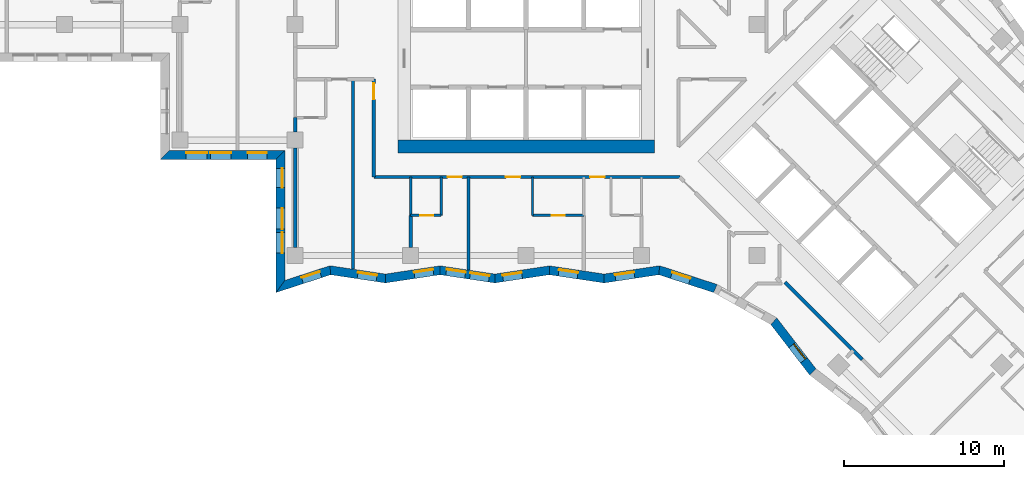
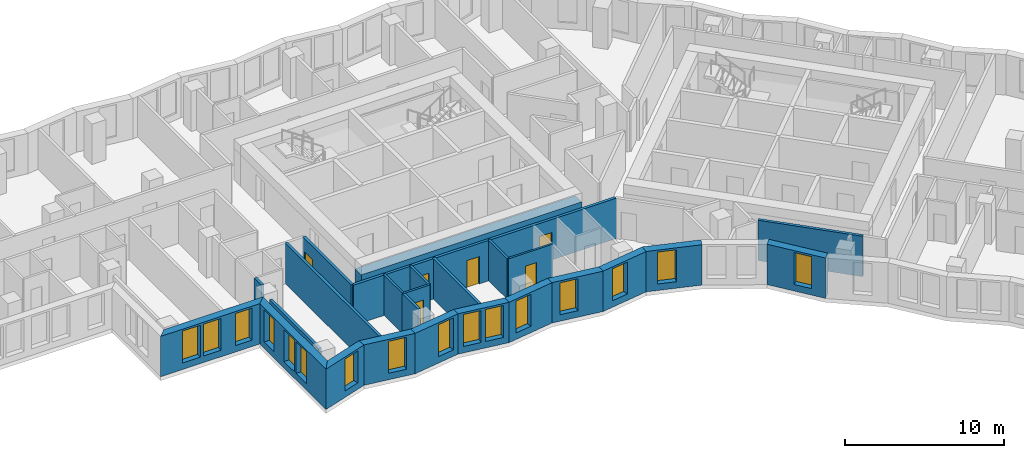
# One storey, part 2 of 13: 25 walls, 16 windows, 6 doors, 22 openings.
"""IFC4 building model written with IfcOpenShell, lengths in metres."""

import ifcopenshell
import ifcopenshell.guid

model = None  # the IFC model being written
_history = None  # IfcOwnerHistory: only IFC2X3 demands one
_inside = {}  # id of a spatial element -> (the spatial element, [elements in it])
_under = {}  # id of a project, library or spatial element -> (it, [spatial elements below it])
_declared = {}  # id of a project -> (the project, [libraries it declares])
_typed = {}  # id of a type object -> (the type object, [elements of that type])
_made_of = {}  # id of a material, layer set ... -> (it, [elements and type objects made of it])


def new_model(schema):
    """Start an empty IFC model of exactly this schema.

    Asked for "IFC4X3", IfcOpenShell would pick the latest addendum, in which some entities
    have other attributes; the version numbers below select the first issue.
    IFC2X3 requires an IfcOwnerHistory on every rooted entity: one is made here for all.
    """
    global model, _history
    if schema == "IFC4X3":
        model = ifcopenshell.file(schema_version=(4, 3, 0, 0))
    else:
        model = ifcopenshell.file(schema=schema)
    _inside.clear()
    _under.clear()
    _declared.clear()
    _typed.clear()
    _made_of.clear()
    _history = None
    if model.schema == "IFC2X3":
        org = make("IfcOrganization", Name="unknown")
        user = make(
            "IfcPersonAndOrganization",
            ThePerson=make("IfcPerson", FamilyName="unknown"),
            TheOrganization=org,
        )
        app = make(
            "IfcApplication",
            ApplicationDeveloper=org,
            Version="unknown",
            ApplicationFullName="unknown",
            ApplicationIdentifier="unknown",
        )
        _history = make(
            "IfcOwnerHistory",
            OwningUser=user,
            OwningApplication=app,
            ChangeAction="ADDED",
            CreationDate=0,
        )
    return model


def make(cls, **values):
    """One entity of the class cls with the attributes given. An attribute that is None is left unset."""
    return model.create_entity(
        cls, **{name: value for name, value in values.items() if value is not None}
    )


def rooted(cls, **values):
    """An entity with a GlobalId (a new one), such as an element, a storey or a relation."""
    return make(cls, GlobalId=ifcopenshell.guid.new(), OwnerHistory=_history, **values)


def si_unit(unit_type, name, prefix=None):
    """IfcSIUnit, for example si_unit("LENGTHUNIT", "METRE", prefix="MILLI")."""
    return make("IfcSIUnit", UnitType=unit_type, Prefix=prefix, Name=name)


def assignment(units):
    """IfcUnitAssignment: the units of a project."""
    return None if units is None else make("IfcUnitAssignment", Units=units)


def point(xyz):
    """IfcCartesianPoint."""
    return None if xyz is None else make("IfcCartesianPoint", Coordinates=xyz)


def direction(xyz):
    """IfcDirection."""
    return None if xyz is None else make("IfcDirection", DirectionRatios=xyz)


def frame(location, z_axis=None, x_axis=None):
    """IfcAxis2Placement3D, a coordinate frame: its origin and axes. An axis left out is left unset."""
    return make(
        "IfcAxis2Placement3D",
        Location=point(location),
        Axis=direction(z_axis),
        RefDirection=direction(x_axis),
    )


def frame_2d(location, x_axis=None):
    """IfcAxis2Placement2D, a coordinate frame in the plane: its origin and x axis."""
    return make(
        "IfcAxis2Placement2D", Location=point(location), RefDirection=direction(x_axis)
    )


def origin():
    """The frame at (0, 0, 0) with its axes left unset."""
    return frame((0.0, 0.0, 0.0))


def place(relative_to, where):
    """IfcLocalPlacement: puts the frame where relative to a parent placement (None: the world)."""
    return make(
        "IfcLocalPlacement", PlacementRelTo=relative_to, RelativePlacement=where
    )


def context(
    kind, dimensions, precision=None, world=None, true_north=None, identifier=None
):
    """IfcGeometricRepresentationContext, for example the 3D "Model" context."""
    return make(
        "IfcGeometricRepresentationContext",
        ContextIdentifier=identifier,
        ContextType=kind,
        CoordinateSpaceDimension=dimensions,
        Precision=precision,
        WorldCoordinateSystem=world,
        TrueNorth=true_north,
    )


def subcontext(parent, identifier, kind, view, scale=None):
    """IfcGeometricRepresentationSubContext, for example "Body" below "Model"."""
    return make(
        "IfcGeometricRepresentationSubContext",
        ContextIdentifier=identifier,
        ContextType=kind,
        ParentContext=parent,
        TargetScale=scale,
        TargetView=view,
    )


def project(units=None, contexts=None):
    """IfcProject with its units and contexts."""
    return rooted(
        "IfcProject",
        Name="project",
        RepresentationContexts=contexts,
        UnitsInContext=assignment(units),
    )


def spatial(cls, under=None, at=None, **own):
    """A site, building, storey or space (cls), placed at a placement, below another one or the project."""
    s = rooted(cls, ObjectPlacement=at, **own)
    if under is not None:
        _under.setdefault(under.id(), (under, []))[1].append(s)
    return s


def polyline(points):
    """IfcPolyline through the points."""
    return make("IfcPolyline", Points=[point(p) for p in points])


def profile(cls, at=None, kind="AREA", **sizes):
    """A parametric profile (cls). Its sizes go by their IFC names, for example OverallWidth=200.0."""
    return make(cls, ProfileType=kind, Position=at, **sizes)


def rectangle(**sizes):
    """IfcRectangleProfileDef."""
    return profile("IfcRectangleProfileDef", **sizes)


def outline(outer, holes=None, kind="AREA"):
    """IfcArbitraryClosedProfileDef: a profile drawn as a closed curve; with holes, ...WithVoids."""
    if holes is None:
        return make("IfcArbitraryClosedProfileDef", ProfileType=kind, OuterCurve=outer)
    return make(
        "IfcArbitraryProfileDefWithVoids",
        ProfileType=kind,
        OuterCurve=outer,
        InnerCurves=holes,
    )


def extrude(swept, where, along, depth):
    """IfcExtrudedAreaSolid: the profile swept, set in the frame where, extruded along a direction by depth."""
    return make(
        "IfcExtrudedAreaSolid",
        SweptArea=swept,
        Position=where,
        ExtrudedDirection=direction(along),
        Depth=depth,
    )


def shape(context_of_items, identifier, shape_type, items):
    """IfcShapeRepresentation: the items that make up one representation, for example the "Body"."""
    return make(
        "IfcShapeRepresentation",
        ContextOfItems=context_of_items,
        RepresentationIdentifier=identifier,
        RepresentationType=shape_type,
        Items=items,
    )


def material(Name=None, Category=None):
    """IfcMaterial."""
    return make("IfcMaterial", Name=Name, Category=Category)


def layer(
    of_material, thickness, ventilated=None, Name=None, Category=None, Priority=None
):
    """IfcMaterialLayer: one layer of a wall or slab, of a material (None: an air gap)."""
    return make(
        "IfcMaterialLayer",
        Material=of_material,
        LayerThickness=thickness,
        IsVentilated=ventilated,
        Name=Name,
        Category=Category,
        Priority=Priority,
    )


def layer_set(layers, Name=None):
    """IfcMaterialLayerSet."""
    return make("IfcMaterialLayerSet", MaterialLayers=layers, LayerSetName=Name)


def made_of(thing, what):
    """Note that an element or type object is made of a material, layer set ...; save() writes the relation."""
    if what is not None:
        _made_of.setdefault(what.id(), (what, []))[1].append(thing)
    return thing


def type_object(cls, material=None, **own):
    """A type object (cls), such as IfcWallType, which elements share."""
    return made_of(rooted(cls, **own), material)


def element(
    cls,
    number,
    at=None,
    inside=None,
    cuts=None,
    type_object=None,
    material=None,
    context=None,
    identifier="Body",
    shape_type=None,
    held_by="IfcProductDefinitionShape",
    body=None,
    shapes=None,
    **own,
):
    """One element of the class cls, such as IfcWall. Its Tag is "e" and its number.

    at: its placement. inside: the storey or other place that contains it. cuts: it is an
    opening in that element (IfcRelVoidsElement). A single representation is given by context,
    identifier, shape_type and body (its items); several are given by shapes. held_by: the class
    of the entity that holds the representations. save() writes the other relations.
    """
    e = rooted(cls, Tag="e%d" % number, ObjectPlacement=at, **own)
    if body is not None:
        shapes = [shape(context, identifier, shape_type, body)]
    if shapes is not None:
        e.Representation = make(held_by, Representations=shapes)
    if inside is not None:
        _inside.setdefault(inside.id(), (inside, []))[1].append(e)
    if cuts is not None:
        rooted(
            "IfcRelVoidsElement", RelatingBuildingElement=cuts, RelatedOpeningElement=e
        )
    if type_object is not None:
        _typed.setdefault(type_object.id(), (type_object, []))[1].append(e)
    return made_of(e, material)


def fill(opening, filler):
    """IfcRelFillsElement: the door or window that sits in an opening."""
    return rooted(
        "IfcRelFillsElement",
        RelatingOpeningElement=opening,
        RelatedBuildingElement=filler,
    )


def aggregate(whole, parts):
    """IfcRelAggregates: a whole, such as a stair, and the parts it consists of."""
    return rooted("IfcRelAggregates", RelatingObject=whole, RelatedObjects=parts)


def save(model, path):
    """Write the relations noted so far, then the file.

    IfcRelAggregates (storeys below a building ...), IfcRelContainedInSpatialStructure (elements
    in a storey), IfcRelDefinesByType, IfcRelAssociatesMaterial and IfcRelDeclares: one each for
    every whole, place, type object, material and project.
    """
    for whole, parts in _under.values():
        aggregate(whole, parts)
    for where, things in _inside.values():
        rooted(
            "IfcRelContainedInSpatialStructure",
            RelatedElements=things,
            RelatingStructure=where,
        )
    for kind, things in _typed.values():
        rooted("IfcRelDefinesByType", RelatedObjects=things, RelatingType=kind)
    for what, things in _made_of.values():
        rooted("IfcRelAssociatesMaterial", RelatedObjects=things, RelatingMaterial=what)
    for by, libraries in _declared.values():
        rooted("IfcRelDeclares", RelatingContext=by, RelatedDefinitions=libraries)
    model.write(path)


model = new_model("IFC4")

# Units and contexts
model_context = context("Model", 3, precision=1e-05, world=origin(), true_north=direction((0.0, 1.0)))
body_context = subcontext(model_context, "Body", "Model", "MODEL_VIEW")
ifc_project = project(units=[si_unit("LENGTHUNIT", "METRE"), si_unit("AREAUNIT", "SQUARE_METRE"), si_unit("VOLUMEUNIT", "CUBIC_METRE"), si_unit("PLANEANGLEUNIT", "RADIAN"), si_unit("MASSUNIT", "GRAM", prefix="KILO")], contexts=[model_context])

# Site, building, storey
site_placement = place(None, origin())
site = spatial("IfcSite", under=ifc_project, at=site_placement, CompositionType="ELEMENT")
building_placement = place(site_placement, origin())
building = spatial("IfcBuilding", under=site, at=building_placement, Name="Windrow Commons", CompositionType="ELEMENT")
storey_placement = place(building_placement, frame((0.0, 0.0, 105.0)))
storey = spatial("IfcBuildingStorey", under=building, at=storey_placement, Name="L28", CompositionType="ELEMENT", Elevation=105.0)

# Wall, openings, windows
ifc_material_1 = material(Name="Brick masonry, red clay brick", Category="masonry")
ifc_layer_1 = layer(ifc_material_1, 0.55)
ifc_layer_set_1 = layer_set([ifc_layer_1], Name="Brick facade wall 550")
wall_type_1 = type_object("IfcWallType", Name="Brick facade wall 550", PredefinedType="SOLIDWALL", material=ifc_layer_set_1)
wall_1_placement = place(storey_placement, frame((42.275, 49.475, 0.0), z_axis=(0.0, 0.0, 1.0), x_axis=(1.0, 0.0, 0.0)))
wall_1 = element("IfcWall", 1, at=wall_1_placement, inside=storey, type_object=wall_type_1, Name="Brick facade wall L28 42", PredefinedType="SOLIDWALL", context=body_context, shape_type="SweptSolid", body=[
    extrude(outline(polyline([(-0.275, -0.275), (6.925, -0.275), (7.475, 0.275), (0.275, 0.275), (-0.275, -0.275)])), origin(), (0.0, 0.0, 1.0), 3.1),
])
opening_1_placement = place(wall_1_placement, frame((1.325, 0.0, 0.5)))
opening_1 = element("IfcOpeningElement", 2, at=opening_1_placement, cuts=wall_1, Name="Opening W1P", PredefinedType="OPENING", context=body_context, shape_type="SweptSolid", body=[
    extrude(rectangle(XDim=1.3, YDim=2.45, at=frame_2d((0.65, 1.225))), frame((0.0, 0.285, 0.0), z_axis=(0.0, -1.0, 0.0), x_axis=(1.0, 0.0, 0.0)), (0.0, 0.0, 1.0), 0.57),
])
opening_2_placement = place(wall_1_placement, frame((2.825, 0.0, 0.5)))
opening_2 = element("IfcOpeningElement", 3, at=opening_2_placement, cuts=wall_1, Name="Opening W1P", PredefinedType="OPENING", context=body_context, shape_type="SweptSolid", body=[
    extrude(rectangle(XDim=1.3, YDim=2.45, at=frame_2d((0.65, 1.225))), frame((0.0, 0.285, 0.0), z_axis=(0.0, -1.0, 0.0), x_axis=(1.0, 0.0, 0.0)), (0.0, 0.0, 1.0), 0.57),
])
opening_3_placement = place(wall_1_placement, frame((5.1625, 0.0, 0.5)))
opening_3 = element("IfcOpeningElement", 4, at=opening_3_placement, cuts=wall_1, Name="Opening W7D", PredefinedType="OPENING", context=body_context, shape_type="SweptSolid", body=[
    extrude(rectangle(XDim=1.2, YDim=2.45, at=frame_2d((0.6, 1.225))), frame((0.0, 0.285, 0.0), z_axis=(0.0, -1.0, 0.0), x_axis=(1.0, 0.0, 0.0)), (0.0, 0.0, 1.0), 0.57),
])
ifc_material_2 = material(Name="Clear float glass in anodised aluminium frame", Category="aluminium")
window_type_1 = type_object("IfcWindowType", Name="Window W1P pair 1300x2450", PartitioningType="SINGLE_PANEL", PredefinedType="WINDOW", material=ifc_material_2)
window_1_placement = place(opening_1_placement, origin())
window_1 = element("IfcWindow", 5, at=window_1_placement, inside=storey, type_object=window_type_1, Name="Window L28 42.1A", OverallHeight=2.45, OverallWidth=1.3, PartitioningType="SINGLE_PANEL", PredefinedType="WINDOW", context=body_context, shape_type="SweptSolid", body=[
    extrude(rectangle(XDim=1.3, YDim=2.45, at=frame_2d((0.65, 1.225))), frame((0.0, 0.155, 0.0), z_axis=(0.0, -1.0, 0.0), x_axis=(1.0, 0.0, 0.0)), (0.0, 0.0, 1.0), 0.06),
])
fill(opening_1, window_1)
window_2_placement = place(opening_2_placement, origin())
window_2 = element("IfcWindow", 6, at=window_2_placement, inside=storey, type_object=window_type_1, Name="Window L28 42.1B", OverallHeight=2.45, OverallWidth=1.3, PartitioningType="SINGLE_PANEL", PredefinedType="WINDOW", context=body_context, shape_type="SweptSolid", body=[
    extrude(rectangle(XDim=1.3, YDim=2.45, at=frame_2d((0.65, 1.225))), frame((0.0, 0.155, 0.0), z_axis=(0.0, -1.0, 0.0), x_axis=(1.0, 0.0, 0.0)), (0.0, 0.0, 1.0), 0.06),
])
fill(opening_2, window_2)
ifc_material_3 = material(Name="Clear float glass in anodised aluminium frame", Category="aluminium")
window_type_2 = type_object("IfcWindowType", Name="Window W7 notch 1200x2450", PartitioningType="SINGLE_PANEL", PredefinedType="WINDOW", material=ifc_material_3)
window_3_placement = place(opening_3_placement, origin())
window_3 = element("IfcWindow", 7, at=window_3_placement, inside=storey, type_object=window_type_2, Name="Window L28 42.2", OverallHeight=2.45, OverallWidth=1.2, PartitioningType="SINGLE_PANEL", PredefinedType="WINDOW", context=body_context, shape_type="SweptSolid", body=[
    extrude(rectangle(XDim=1.2, YDim=2.45, at=frame_2d((0.6, 1.225))), frame((0.0, 0.155, 0.0), z_axis=(0.0, -1.0, 0.0), x_axis=(1.0, 0.0, 0.0)), (0.0, 0.0, 1.0), 0.06),
])
fill(opening_3, window_3)

wall_2_placement = place(storey_placement, frame((49.475, 49.475, 0.0), z_axis=(0.0, 0.0, 1.0), x_axis=(0.0, -1.0, 0.0)))
wall_2 = element("IfcWall", 8, at=wall_2_placement, inside=storey, type_object=wall_type_1, Name="Brick facade wall L28 43", PredefinedType="SOLIDWALL", context=body_context, shape_type="SweptSolid", body=[
    extrude(outline(polyline([(0.275, -0.275), (8.587, -0.275), (7.8293, 0.275), (-0.275, 0.275), (0.275, -0.275)])), origin(), (0.0, 0.0, 1.0), 3.1),
])
opening_4_placement = place(wall_2_placement, frame((3.325, 0.0, 0.5)))
opening_4 = element("IfcOpeningElement", 9, at=opening_4_placement, cuts=wall_2, Name="Opening W1P", PredefinedType="OPENING", context=body_context, shape_type="SweptSolid", body=[
    extrude(rectangle(XDim=1.3, YDim=2.45, at=frame_2d((0.65, 1.225))), frame((0.0, 0.285, 0.0), z_axis=(0.0, -1.0, 0.0), x_axis=(1.0, 0.0, 0.0)), (0.0, 0.0, 1.0), 0.57),
])
opening_5_placement = place(wall_2_placement, frame((4.825, 0.0, 0.5)))
opening_5 = element("IfcOpeningElement", 10, at=opening_5_placement, cuts=wall_2, Name="Opening W1P", PredefinedType="OPENING", context=body_context, shape_type="SweptSolid", body=[
    extrude(rectangle(XDim=1.3, YDim=2.45, at=frame_2d((0.65, 1.225))), frame((0.0, 0.285, 0.0), z_axis=(0.0, -1.0, 0.0), x_axis=(1.0, 0.0, 0.0)), (0.0, 0.0, 1.0), 0.57),
])
opening_6_placement = place(wall_2_placement, frame((0.8375, 0.0, 0.5)))
opening_6 = element("IfcOpeningElement", 11, at=opening_6_placement, cuts=wall_2, Name="Opening W7D", PredefinedType="OPENING", context=body_context, shape_type="SweptSolid", body=[
    extrude(rectangle(XDim=1.2, YDim=2.45, at=frame_2d((0.6, 1.225))), frame((0.0, 0.285, 0.0), z_axis=(0.0, -1.0, 0.0), x_axis=(1.0, 0.0, 0.0)), (0.0, 0.0, 1.0), 0.57),
])
window_4_placement = place(opening_4_placement, origin())
window_4 = element("IfcWindow", 12, at=window_4_placement, inside=storey, type_object=window_type_1, Name="Window L28 43.1A", OverallHeight=2.45, OverallWidth=1.3, PartitioningType="SINGLE_PANEL", PredefinedType="WINDOW", context=body_context, shape_type="SweptSolid", body=[
    extrude(rectangle(XDim=1.3, YDim=2.45, at=frame_2d((0.65, 1.225))), frame((0.0, 0.155, 0.0), z_axis=(0.0, -1.0, 0.0), x_axis=(1.0, 0.0, 0.0)), (0.0, 0.0, 1.0), 0.06),
])
fill(opening_4, window_4)
window_5_placement = place(opening_5_placement, origin())
window_5 = element("IfcWindow", 13, at=window_5_placement, inside=storey, type_object=window_type_1, Name="Window L28 43.1B", OverallHeight=2.45, OverallWidth=1.3, PartitioningType="SINGLE_PANEL", PredefinedType="WINDOW", context=body_context, shape_type="SweptSolid", body=[
    extrude(rectangle(XDim=1.3, YDim=2.45, at=frame_2d((0.65, 1.225))), frame((0.0, 0.155, 0.0), z_axis=(0.0, -1.0, 0.0), x_axis=(1.0, 0.0, 0.0)), (0.0, 0.0, 1.0), 0.06),
])
fill(opening_5, window_5)
window_6_placement = place(opening_6_placement, origin())
window_6 = element("IfcWindow", 14, at=window_6_placement, inside=storey, type_object=window_type_2, Name="Window L28 43.2", OverallHeight=2.45, OverallWidth=1.2, PartitioningType="SINGLE_PANEL", PredefinedType="WINDOW", context=body_context, shape_type="SweptSolid", body=[
    extrude(rectangle(XDim=1.2, YDim=2.45, at=frame_2d((0.6, 1.225))), frame((0.0, 0.155, 0.0), z_axis=(0.0, -1.0, 0.0), x_axis=(1.0, 0.0, 0.0)), (0.0, 0.0, 1.0), 0.06),
])
fill(opening_6, window_6)

# Wall, opening, window
wall_3_placement = place(storey_placement, frame((49.475, 41.2669, 0.0), z_axis=(0.0, 0.0, 1.0), x_axis=(0.9507812873, 0.3098627821, 0.0)))
wall_3 = element("IfcWall", 15, at=wall_3_placement, inside=storey, type_object=wall_type_1, Name="Brick facade wall L28 44", PredefinedType="SOLIDWALL", context=body_context, shape_type="SweptSolid", body=[
    extrude(outline(polyline([(-0.3789, -0.275), (3.2097, -0.275), (3.3396, 0.275), (0.3789, 0.275), (-0.3789, -0.275)])), origin(), (0.0, 0.0, 1.0), 3.1),
])
opening_7_placement = place(wall_3_placement, frame((1.4238, 0.0, 0.5)))
opening_7 = element("IfcOpeningElement", 16, at=opening_7_placement, cuts=wall_3, Name="Opening W7D", PredefinedType="OPENING", context=body_context, shape_type="SweptSolid", body=[
    extrude(rectangle(XDim=1.2, YDim=2.45, at=frame_2d((0.6, 1.225))), frame((0.0, 0.285, 0.0), z_axis=(0.0, -1.0, 0.0), x_axis=(1.0, 0.0, 0.0)), (0.0, 0.0, 1.0), 0.57),
])
window_7_placement = place(opening_7_placement, origin())
window_7 = element("IfcWindow", 17, at=window_7_placement, inside=storey, type_object=window_type_2, Name="Window L28 44.1", OverallHeight=2.45, OverallWidth=1.2, PartitioningType="SINGLE_PANEL", PredefinedType="WINDOW", context=body_context, shape_type="SweptSolid", body=[
    extrude(rectangle(XDim=1.2, YDim=2.45, at=frame_2d((0.6, 1.225))), frame((0.0, 0.155, 0.0), z_axis=(0.0, -1.0, 0.0), x_axis=(1.0, 0.0, 0.0)), (0.0, 0.0, 1.0), 0.06),
])
fill(opening_7, window_7)

wall_4_placement = place(storey_placement, frame((52.5885, 42.2816, 0.0), z_axis=(0.0, 0.0, 1.0), x_axis=(0.9889276939, -0.1483981679, 0.0)))
wall_4 = element("IfcWall", 18, at=wall_4_placement, inside=storey, type_object=wall_type_1, Name="Brick facade wall L28 45", PredefinedType="SOLIDWALL", context=body_context, shape_type="SweptSolid", body=[
    extrude(outline(polyline([(0.065, -0.275), (3.5151, -0.275), (3.4326, 0.275), (-0.065, 0.275), (0.065, -0.275)])), origin(), (0.0, 0.0, 1.0), 3.1),
])
opening_8_placement = place(wall_4_placement, frame((1.7299, 0.0, 0.5)))
opening_8 = element("IfcOpeningElement", 19, at=opening_8_placement, cuts=wall_4, Name="Opening W7D", PredefinedType="OPENING", context=body_context, shape_type="SweptSolid", body=[
    extrude(rectangle(XDim=1.2, YDim=2.45, at=frame_2d((0.6, 1.225))), frame((0.0, 0.285, 0.0), z_axis=(0.0, -1.0, 0.0), x_axis=(1.0, 0.0, 0.0)), (0.0, 0.0, 1.0), 0.57),
])
window_8_placement = place(opening_8_placement, origin())
window_8 = element("IfcWindow", 20, at=window_8_placement, inside=storey, type_object=window_type_2, Name="Window L28 45.1", OverallHeight=2.45, OverallWidth=1.2, PartitioningType="SINGLE_PANEL", PredefinedType="WINDOW", context=body_context, shape_type="SweptSolid", body=[
    extrude(rectangle(XDim=1.2, YDim=2.45, at=frame_2d((0.6, 1.225))), frame((0.0, 0.155, 0.0), z_axis=(0.0, -1.0, 0.0), x_axis=(1.0, 0.0, 0.0)), (0.0, 0.0, 1.0), 0.06),
])
fill(opening_8, window_8)

wall_5_placement = place(storey_placement, frame((56.0238, 41.7661, 0.0), z_axis=(0.0, 0.0, 1.0), x_axis=(0.9889272091, 0.1484013984, 0.0)))
wall_5 = element("IfcWall", 21, at=wall_5_placement, inside=storey, type_object=wall_type_1, Name="Brick facade wall L28 46", PredefinedType="SOLIDWALL", context=body_context, shape_type="SweptSolid", body=[
    extrude(outline(polyline([(-0.0413, -0.275), (3.4088, -0.275), (3.4914, 0.275), (0.0413, 0.275), (-0.0413, -0.275)])), origin(), (0.0, 0.0, 1.0), 3.1),
])
opening_9_placement = place(wall_5_placement, frame((1.822, 0.0, 0.5)))
opening_9 = element("IfcOpeningElement", 22, at=opening_9_placement, cuts=wall_5, Name="Opening W7D", PredefinedType="OPENING", context=body_context, shape_type="SweptSolid", body=[
    extrude(rectangle(XDim=1.2, YDim=2.45, at=frame_2d((0.6, 1.225))), frame((0.0, 0.285, 0.0), z_axis=(0.0, -1.0, 0.0), x_axis=(1.0, 0.0, 0.0)), (0.0, 0.0, 1.0), 0.57),
])
window_9_placement = place(opening_9_placement, origin())
window_9 = element("IfcWindow", 23, at=window_9_placement, inside=storey, type_object=window_type_2, Name="Window L28 46.1", OverallHeight=2.45, OverallWidth=1.2, PartitioningType="SINGLE_PANEL", PredefinedType="WINDOW", context=body_context, shape_type="SweptSolid", body=[
    extrude(rectangle(XDim=1.2, YDim=2.45, at=frame_2d((0.6, 1.225))), frame((0.0, 0.155, 0.0), z_axis=(0.0, -1.0, 0.0), x_axis=(1.0, 0.0, 0.0)), (0.0, 0.0, 1.0), 0.06),
])
fill(opening_9, window_9)

# Wall, openings, windows
wall_6_placement = place(storey_placement, frame((59.4357, 42.2781, 0.0), z_axis=(0.0, 0.0, 1.0), x_axis=(0.9889272091, -0.1484013984, 0.0)))
wall_6 = element("IfcWall", 24, at=wall_6_placement, inside=storey, type_object=wall_type_1, Name="Brick facade wall L28 47", PredefinedType="SOLIDWALL", context=body_context, shape_type="SweptSolid", body=[
    extrude(outline(polyline([(0.0413, -0.275), (3.4914, -0.275), (3.4088, 0.275), (-0.0413, 0.275), (0.0413, -0.275)])), origin(), (0.0, 0.0, 1.0), 3.1),
])
opening_10_placement = place(wall_6_placement, frame((0.392, 0.0, 0.5)))
opening_10 = element("IfcOpeningElement", 25, at=opening_10_placement, cuts=wall_6, Name="Opening W7D", PredefinedType="OPENING", context=body_context, shape_type="SweptSolid", body=[
    extrude(rectangle(XDim=1.2, YDim=2.45, at=frame_2d((0.6, 1.225))), frame((0.0, 0.285, 0.0), z_axis=(0.0, -1.0, 0.0), x_axis=(1.0, 0.0, 0.0)), (0.0, 0.0, 1.0), 0.57),
])
opening_11_placement = place(wall_6_placement, frame((1.8964, 0.0, 0.5)))
opening_11 = element("IfcOpeningElement", 26, at=opening_11_placement, cuts=wall_6, Name="Opening W7D", PredefinedType="OPENING", context=body_context, shape_type="SweptSolid", body=[
    extrude(rectangle(XDim=1.2, YDim=2.45, at=frame_2d((0.6, 1.225))), frame((0.0, 0.285, 0.0), z_axis=(0.0, -1.0, 0.0), x_axis=(1.0, 0.0, 0.0)), (0.0, 0.0, 1.0), 0.57),
])
window_10_placement = place(opening_10_placement, origin())
window_10 = element("IfcWindow", 27, at=window_10_placement, inside=storey, type_object=window_type_2, Name="Window L28 47.1", OverallHeight=2.45, OverallWidth=1.2, PartitioningType="SINGLE_PANEL", PredefinedType="WINDOW", context=body_context, shape_type="SweptSolid", body=[
    extrude(rectangle(XDim=1.2, YDim=2.45, at=frame_2d((0.6, 1.225))), frame((0.0, 0.155, 0.0), z_axis=(0.0, -1.0, 0.0), x_axis=(1.0, 0.0, 0.0)), (0.0, 0.0, 1.0), 0.06),
])
fill(opening_10, window_10)
window_11_placement = place(opening_11_placement, origin())
window_11 = element("IfcWindow", 28, at=window_11_placement, inside=storey, type_object=window_type_2, Name="Window L28 47.2", OverallHeight=2.45, OverallWidth=1.2, PartitioningType="SINGLE_PANEL", PredefinedType="WINDOW", context=body_context, shape_type="SweptSolid", body=[
    extrude(rectangle(XDim=1.2, YDim=2.45, at=frame_2d((0.6, 1.225))), frame((0.0, 0.155, 0.0), z_axis=(0.0, -1.0, 0.0), x_axis=(1.0, 0.0, 0.0)), (0.0, 0.0, 1.0), 0.06),
])
fill(opening_11, window_11)

# Wall, opening, window
wall_7_placement = place(storey_placement, frame((62.8476, 41.7661, 0.0), z_axis=(0.0, 0.0, 1.0), x_axis=(0.9889278474, 0.1483971447, 0.0)))
wall_7 = element("IfcWall", 29, at=wall_7_placement, inside=storey, type_object=wall_type_1, Name="Brick facade wall L28 48", PredefinedType="SOLIDWALL", context=body_context, shape_type="SweptSolid", body=[
    extrude(outline(polyline([(-0.0413, -0.275), (3.4088, -0.275), (3.4914, 0.275), (0.0413, 0.275), (-0.0413, -0.275)])), origin(), (0.0, 0.0, 1.0), 3.1),
])
opening_12_placement = place(wall_7_placement, frame((0.5077, 0.0, 0.5)))
opening_12 = element("IfcOpeningElement", 30, at=opening_12_placement, cuts=wall_7, Name="Opening W7D", PredefinedType="OPENING", context=body_context, shape_type="SweptSolid", body=[
    extrude(rectangle(XDim=1.2, YDim=2.45, at=frame_2d((0.6, 1.225))), frame((0.0, 0.285, 0.0), z_axis=(0.0, -1.0, 0.0), x_axis=(1.0, 0.0, 0.0)), (0.0, 0.0, 1.0), 0.57),
])
window_12_placement = place(opening_12_placement, origin())
window_12 = element("IfcWindow", 31, at=window_12_placement, inside=storey, type_object=window_type_2, Name="Window L28 48.1", OverallHeight=2.45, OverallWidth=1.2, PartitioningType="SINGLE_PANEL", PredefinedType="WINDOW", context=body_context, shape_type="SweptSolid", body=[
    extrude(rectangle(XDim=1.2, YDim=2.45, at=frame_2d((0.6, 1.225))), frame((0.0, 0.155, 0.0), z_axis=(0.0, -1.0, 0.0), x_axis=(1.0, 0.0, 0.0)), (0.0, 0.0, 1.0), 0.06),
])
fill(opening_12, window_12)

wall_8_placement = place(storey_placement, frame((66.2596, 42.2781, 0.0), z_axis=(0.0, 0.0, 1.0), x_axis=(0.9889272091, -0.1484013984, 0.0)))
wall_8 = element("IfcWall", 32, at=wall_8_placement, inside=storey, type_object=wall_type_1, Name="Brick facade wall L28 49", PredefinedType="SOLIDWALL", context=body_context, shape_type="SweptSolid", body=[
    extrude(outline(polyline([(0.0413, -0.275), (3.4914, -0.275), (3.4088, 0.275), (-0.0413, 0.275), (0.0413, -0.275)])), origin(), (0.0, 0.0, 1.0), 3.1),
])
opening_13_placement = place(wall_8_placement, frame((0.5822, 0.0, 0.5)))
opening_13 = element("IfcOpeningElement", 33, at=opening_13_placement, cuts=wall_8, Name="Opening W7D", PredefinedType="OPENING", context=body_context, shape_type="SweptSolid", body=[
    extrude(rectangle(XDim=1.2, YDim=2.45, at=frame_2d((0.6, 1.225))), frame((0.0, 0.285, 0.0), z_axis=(0.0, -1.0, 0.0), x_axis=(1.0, 0.0, 0.0)), (0.0, 0.0, 1.0), 0.57),
])
window_13_placement = place(opening_13_placement, origin())
window_13 = element("IfcWindow", 34, at=window_13_placement, inside=storey, type_object=window_type_2, Name="Window L28 49.1", OverallHeight=2.45, OverallWidth=1.2, PartitioningType="SINGLE_PANEL", PredefinedType="WINDOW", context=body_context, shape_type="SweptSolid", body=[
    extrude(rectangle(XDim=1.2, YDim=2.45, at=frame_2d((0.6, 1.225))), frame((0.0, 0.155, 0.0), z_axis=(0.0, -1.0, 0.0), x_axis=(1.0, 0.0, 0.0)), (0.0, 0.0, 1.0), 0.06),
])
fill(opening_13, window_13)

wall_9_placement = place(storey_placement, frame((69.6715, 41.7661, 0.0), z_axis=(0.0, 0.0, 1.0), x_axis=(0.9889276939, 0.1483981679, 0.0)))
wall_9 = element("IfcWall", 35, at=wall_9_placement, inside=storey, type_object=wall_type_1, Name="Brick facade wall L28 50", PredefinedType="SOLIDWALL", context=body_context, shape_type="SweptSolid", body=[
    extrude(outline(polyline([(-0.0413, -0.275), (3.4088, -0.275), (3.5388, 0.275), (0.0413, 0.275), (-0.0413, -0.275)])), origin(), (0.0, 0.0, 1.0), 3.1),
])
opening_14_placement = place(wall_9_placement, frame((0.6979, 0.0, 0.5)))
opening_14 = element("IfcOpeningElement", 36, at=opening_14_placement, cuts=wall_9, Name="Opening W7D", PredefinedType="OPENING", context=body_context, shape_type="SweptSolid", body=[
    extrude(rectangle(XDim=1.2, YDim=2.45, at=frame_2d((0.6, 1.225))), frame((0.0, 0.285, 0.0), z_axis=(0.0, -1.0, 0.0), x_axis=(1.0, 0.0, 0.0)), (0.0, 0.0, 1.0), 0.57),
])
window_14_placement = place(opening_14_placement, origin())
window_14 = element("IfcWindow", 37, at=window_14_placement, inside=storey, type_object=window_type_2, Name="Window L28 50.1", OverallHeight=2.45, OverallWidth=1.2, PartitioningType="SINGLE_PANEL", PredefinedType="WINDOW", context=body_context, shape_type="SweptSolid", body=[
    extrude(rectangle(XDim=1.2, YDim=2.45, at=frame_2d((0.6, 1.225))), frame((0.0, 0.155, 0.0), z_axis=(0.0, -1.0, 0.0), x_axis=(1.0, 0.0, 0.0)), (0.0, 0.0, 1.0), 0.06),
])
fill(opening_14, window_14)

wall_10_placement = place(storey_placement, frame((73.1068, 42.2816, 0.0), z_axis=(0.0, 0.0, 1.0), x_axis=(0.9507759642, -0.309879115, 0.0)))
wall_10 = element("IfcWall", 38, at=wall_10_placement, inside=storey, type_object=wall_type_1, Name="Brick facade wall L28 51", PredefinedType="SOLIDWALL", context=body_context, shape_type="SweptSolid", body=[
    extrude(outline(polyline([(0.065, -0.275), (3.6535, -0.275), (3.7074, 0.275), (-0.065, 0.275), (0.065, -0.275)])), origin(), (0.0, 0.0, 1.0), 3.1),
])
opening_15_placement = place(wall_10_placement, frame((0.8111, 0.0, 0.5)))
opening_15 = element("IfcOpeningElement", 39, at=opening_15_placement, cuts=wall_10, Name="Opening W7D", PredefinedType="OPENING", context=body_context, shape_type="SweptSolid", body=[
    extrude(rectangle(XDim=1.2, YDim=2.45, at=frame_2d((0.6, 1.225))), frame((0.0, 0.285, 0.0), z_axis=(0.0, -1.0, 0.0), x_axis=(1.0, 0.0, 0.0)), (0.0, 0.0, 1.0), 0.57),
])
window_15_placement = place(opening_15_placement, origin())
window_15 = element("IfcWindow", 40, at=window_15_placement, inside=storey, type_object=window_type_2, Name="Window L28 51.1", OverallHeight=2.45, OverallWidth=1.2, PartitioningType="SINGLE_PANEL", PredefinedType="WINDOW", context=body_context, shape_type="SweptSolid", body=[
    extrude(rectangle(XDim=1.2, YDim=2.45, at=frame_2d((0.6, 1.225))), frame((0.0, 0.155, 0.0), z_axis=(0.0, -1.0, 0.0), x_axis=(1.0, 0.0, 0.0)), (0.0, 0.0, 1.0), 0.06),
])
fill(opening_15, window_15)

wall_11_placement = place(storey_placement, frame((80.2505, 39.1014, 0.0), z_axis=(0.0, 0.0, 1.0), x_axis=(0.6100580662, -0.79235671, 0.0)))
wall_11 = element("IfcWall", 41, at=wall_11_placement, inside=storey, type_object=wall_type_1, Name="Brick facade wall L28 53", PredefinedType="SOLIDWALL", context=body_context, shape_type="SweptSolid", body=[
    extrude(outline(polyline([(0.0564, -0.275), (4.0286, -0.275), (3.9571, 0.275), (-0.0564, 0.275), (0.0564, -0.275)])), origin(), (0.0, 0.0, 1.0), 3.1),
])
opening_16_placement = place(wall_11_placement, frame((1.8808, 0.0, 0.5)))
opening_16 = element("IfcOpeningElement", 42, at=opening_16_placement, cuts=wall_11, Name="Opening W7D", PredefinedType="OPENING", context=body_context, shape_type="SweptSolid", body=[
    extrude(rectangle(XDim=1.2, YDim=2.45, at=frame_2d((0.6, 1.225))), frame((0.0, 0.285, 0.0), z_axis=(0.0, -1.0, 0.0), x_axis=(1.0, 0.0, 0.0)), (0.0, 0.0, 1.0), 0.57),
])
window_16_placement = place(opening_16_placement, origin())
window_16 = element("IfcWindow", 43, at=window_16_placement, inside=storey, type_object=window_type_2, Name="Window L28 53.1", OverallHeight=2.45, OverallWidth=1.2, PartitioningType="SINGLE_PANEL", PredefinedType="WINDOW", context=body_context, shape_type="SweptSolid", body=[
    extrude(rectangle(XDim=1.2, YDim=2.45, at=frame_2d((0.6, 1.225))), frame((0.0, 0.155, 0.0), z_axis=(0.0, -1.0, 0.0), x_axis=(1.0, 0.0, 0.0)), (0.0, 0.0, 1.0), 0.06),
])
fill(opening_16, window_16)

# Wall, openings, doors
ifc_material_4 = material(Name="Blockwork partition", Category="masonry")
ifc_layer_2 = layer(ifc_material_4, 0.2)
ifc_layer_set_2 = layer_set([ifc_layer_2], Name="IW-CORRIDOR-200")
wall_type_2 = type_object("IfcWallType", Name="IW-CORRIDOR-200", PredefinedType="PARTITIONING", material=ifc_layer_set_2)
wall_12_placement = place(storey_placement, frame((55.3, 48.1, 0.0), z_axis=(0.0, 0.0, 1.0), x_axis=(1.0, 0.0, 0.0)))
wall_12 = element("IfcWall", 44, at=wall_12_placement, inside=storey, type_object=wall_type_2, Name="W-L28-W003", PredefinedType="PARTITIONING", context=body_context, shape_type="SweptSolid", body=[
    extrude(rectangle(XDim=19.092, YDim=0.2, at=frame_2d((9.546, 0.0))), origin(), (0.0, 0.0, 1.0), 3.1),
])
opening_17_placement = place(wall_12_placement, frame((4.6, 0.0, 0.0)))
opening_17 = element("IfcOpeningElement", 45, at=opening_17_placement, cuts=wall_12, Name="Opening D109S", PredefinedType="OPENING", context=body_context, shape_type="SweptSolid", body=[
    extrude(rectangle(XDim=0.9, YDim=2.1, at=frame_2d((0.45, 1.05))), frame((0.0, 0.11, 0.0), z_axis=(0.0, -1.0, 0.0), x_axis=(1.0, 0.0, 0.0)), (0.0, 0.0, 1.0), 0.22),
])
opening_18_placement = place(wall_12_placement, frame((8.2393, 0.0, 0.0)))
opening_18 = element("IfcOpeningElement", 46, at=opening_18_placement, cuts=wall_12, Name="Opening D109F", PredefinedType="OPENING", context=body_context, shape_type="SweptSolid", body=[
    extrude(rectangle(XDim=0.9, YDim=2.1, at=frame_2d((0.45, 1.05))), frame((0.0, 0.11, 0.0), z_axis=(0.0, -1.0, 0.0), x_axis=(1.0, 0.0, 0.0)), (0.0, 0.0, 1.0), 0.22),
])
opening_19_placement = place(wall_12_placement, frame((13.5, 0.0, 0.0)))
opening_19 = element("IfcOpeningElement", 47, at=opening_19_placement, cuts=wall_12, Name="Opening D109S", PredefinedType="OPENING", context=body_context, shape_type="SweptSolid", body=[
    extrude(rectangle(XDim=0.9, YDim=2.1, at=frame_2d((0.45, 1.05))), frame((0.0, 0.11, 0.0), z_axis=(0.0, -1.0, 0.0), x_axis=(1.0, 0.0, 0.0)), (0.0, 0.0, 1.0), 0.22),
])
ifc_material_5 = material(Name="Timber door leaf", Category="wood")
door_type_1 = type_object("IfcDoorType", Name="DT-BEDROOM-900", OperationType="SINGLE_SWING_LEFT", PredefinedType="DOOR", material=ifc_material_5)
door_1_placement = place(opening_17_placement, origin())
door_1 = element("IfcDoor", 48, at=door_1_placement, inside=storey, type_object=door_type_1, Name="D-L28-D028", OperationType="SINGLE_SWING_LEFT", OverallHeight=2.1, OverallWidth=0.9, PredefinedType="DOOR", context=body_context, shape_type="SweptSolid", body=[
    extrude(rectangle(XDim=0.9, YDim=2.1, at=frame_2d((0.45, 1.05))), frame((0.0, 0.025, 0.0), z_axis=(0.0, -1.0, 0.0), x_axis=(1.0, 0.0, 0.0)), (0.0, 0.0, 1.0), 0.05),
])
fill(opening_17, door_1)
door_2_placement = place(opening_18_placement, origin())
door_2 = element("IfcDoor", 49, at=door_2_placement, inside=storey, type_object=door_type_1, Name="D-L28-D030", OperationType="SINGLE_SWING_RIGHT", OverallHeight=2.1, OverallWidth=0.9, PredefinedType="DOOR", context=body_context, shape_type="SweptSolid", body=[
    extrude(rectangle(XDim=0.9, YDim=2.1, at=frame_2d((0.45, 1.05))), frame((0.0, 0.025, 0.0), z_axis=(0.0, -1.0, 0.0), x_axis=(1.0, 0.0, 0.0)), (0.0, 0.0, 1.0), 0.05),
])
fill(opening_18, door_2)
door_3_placement = place(opening_19_placement, origin())
door_3 = element("IfcDoor", 50, at=door_3_placement, inside=storey, type_object=door_type_1, Name="D-L28-D032", OperationType="SINGLE_SWING_RIGHT", OverallHeight=2.1, OverallWidth=0.9, PredefinedType="DOOR", context=body_context, shape_type="SweptSolid", body=[
    extrude(rectangle(XDim=0.9, YDim=2.1, at=frame_2d((0.45, 1.05))), frame((0.0, 0.025, 0.0), z_axis=(0.0, -1.0, 0.0), x_axis=(1.0, 0.0, 0.0)), (0.0, 0.0, 1.0), 0.05),
])
fill(opening_19, door_3)

# Wall
wall_13_placement = place(storey_placement, frame((80.9485, 41.5365, 0.0), z_axis=(0.0, 0.0, 1.0), x_axis=(0.7071067812, -0.7071067812, 0.0)))
element("IfcWall", 51, at=wall_13_placement, inside=storey, type_object=wall_type_2, Name="W-L28-W023", PredefinedType="PARTITIONING", context=body_context, shape_type="SweptSolid", body=[
    extrude(rectangle(XDim=6.8222, YDim=0.2, at=frame_2d((3.4111, 0.0))), origin(), (0.0, 0.0, 1.0), 3.1),
])

# Wall, opening, door
wall_14_placement = place(storey_placement, frame((55.3, 48.1, 0.0), z_axis=(0.0, 0.0, 1.0), x_axis=(0.0, 1.0, 0.0)))
wall_14 = element("IfcWall", 52, at=wall_14_placement, inside=storey, type_object=wall_type_2, Name="W-L28-W027", PredefinedType="PARTITIONING", context=body_context, shape_type="SweptSolid", body=[
    extrude(rectangle(XDim=6.1, YDim=0.2, at=frame_2d((3.05, 0.0))), origin(), (0.0, 0.0, 1.0), 3.1),
])
opening_20_placement = place(wall_14_placement, frame((4.8446, 0.0, 0.0)))
opening_20 = element("IfcOpeningElement", 53, at=opening_20_placement, cuts=wall_14, Name="Opening D310F", PredefinedType="OPENING", context=body_context, shape_type="SweptSolid", body=[
    extrude(rectangle(XDim=1.0, YDim=2.1, at=frame_2d((0.5, 1.05))), frame((0.0, 0.11, 0.0), z_axis=(0.0, -1.0, 0.0), x_axis=(1.0, 0.0, 0.0)), (0.0, 0.0, 1.0), 0.22),
])
ifc_material_6 = material(Name="Timber door leaf", Category="wood")
door_type_2 = type_object("IfcDoorType", Name="DT-AMENITY-1000", OperationType="SINGLE_SWING_LEFT", PredefinedType="DOOR", material=ifc_material_6)
door_4_placement = place(opening_20_placement, origin())
door_4 = element("IfcDoor", 54, at=door_4_placement, inside=storey, type_object=door_type_2, Name="D-L28-D023", OperationType="SINGLE_SWING_RIGHT", OverallHeight=2.1, OverallWidth=1.0, PredefinedType="DOOR", context=body_context, shape_type="SweptSolid", body=[
    extrude(rectangle(XDim=1.0, YDim=2.1, at=frame_2d((0.5, 1.05))), frame((0.0, 0.025, 0.0), z_axis=(0.0, -1.0, 0.0), x_axis=(1.0, 0.0, 0.0)), (0.0, 0.0, 1.0), 0.05),
])
fill(opening_20, door_4)

ifc_material_7 = material(Name="Blockwork partition", Category="masonry")
ifc_layer_3 = layer(ifc_material_7, 0.15)
ifc_layer_set_3 = layer_set([ifc_layer_3], Name="IW-ENSUITE-150")
wall_type_3 = type_object("IfcWallType", Name="IW-ENSUITE-150", PredefinedType="PARTITIONING", material=ifc_layer_set_3)
wall_15_placement = place(storey_placement, frame((65.2, 45.7, 0.0), z_axis=(0.0, 0.0, 1.0), x_axis=(1.0, 0.0, 0.0)))
wall_15 = element("IfcWall", 55, at=wall_15_placement, inside=storey, type_object=wall_type_3, Name="W-L28-W058", PredefinedType="PARTITIONING", context=body_context, shape_type="SweptSolid", body=[
    extrude(rectangle(XDim=3.2, YDim=0.15, at=frame_2d((1.6, 0.0))), origin(), (0.0, 0.0, 1.0), 3.1),
])
opening_21_placement = place(wall_15_placement, frame((1.2042, 0.0, 0.0)))
opening_21 = element("IfcOpeningElement", 56, at=opening_21_placement, cuts=wall_15, Name="Opening D208N", PredefinedType="OPENING", context=body_context, shape_type="SweptSolid", body=[
    extrude(rectangle(XDim=0.8, YDim=2.1, at=frame_2d((0.4, 1.05))), frame((0.0, 0.085, 0.0), z_axis=(0.0, -1.0, 0.0), x_axis=(1.0, 0.0, 0.0)), (0.0, 0.0, 1.0), 0.17),
])
ifc_material_8 = material(Name="Timber door leaf", Category="wood")
door_type_3 = type_object("IfcDoorType", Name="DT-ENSUITE-800", OperationType="SINGLE_SWING_LEFT", PredefinedType="DOOR", material=ifc_material_8)
door_5_placement = place(opening_21_placement, origin())
door_5 = element("IfcDoor", 57, at=door_5_placement, inside=storey, type_object=door_type_3, Name="D-L28-D031", OperationType="SINGLE_SWING_RIGHT", OverallHeight=2.1, OverallWidth=0.8, PredefinedType="DOOR", context=body_context, shape_type="SweptSolid", body=[
    extrude(rectangle(XDim=0.8, YDim=2.1, at=frame_2d((0.4, 1.05))), frame((0.0, 0.025, 0.0), z_axis=(0.0, -1.0, 0.0), x_axis=(1.0, 0.0, 0.0)), (0.0, 0.0, 1.0), 0.05),
])
fill(opening_21, door_5)

# Walls
for number, where, z_axis, x_axis, name in (
    (58, (59.5, 45.7, 0.0), (0.0, 0.0, 1.0), (0.0, 1.0, 0.0), "W-L28-W086"),
    (59, (57.6, 45.7, 0.0), (0.0, 0.0, 1.0), (0.0, 1.0, 0.0), "W-L28-W087"),
    (60, (65.2, 45.7, 0.0), (0.0, 0.0, 1.0), (0.0, 1.0, 0.0), "W-L28-W088"),
):
    element("IfcWall", number, at=place(storey_placement, frame(where, z_axis=z_axis, x_axis=x_axis)), inside=storey, type_object=wall_type_3, Name=name, PredefinedType="PARTITIONING", context=body_context, shape_type="SweptSolid", body=[
        extrude(rectangle(XDim=2.4, YDim=0.15, at=frame_2d((1.2, 0.0))), origin(), (0.0, 0.0, 1.0), 3.1),
    ])

# Wall, opening, door
wall_16_placement = place(storey_placement, frame((57.6, 45.7, 0.0), z_axis=(0.0, 0.0, 1.0), x_axis=(1.0, 0.0, 0.0)))
wall_16 = element("IfcWall", 61, at=wall_16_placement, inside=storey, type_object=wall_type_3, Name="W-L28-W126", PredefinedType="PARTITIONING", context=body_context, shape_type="SweptSolid", body=[
    extrude(rectangle(XDim=1.9, YDim=0.15, at=frame_2d((0.95, 0.0))), origin(), (0.0, 0.0, 1.0), 3.1),
])
opening_22_placement = place(wall_16_placement, frame((0.6069, 0.0, 0.0)))
opening_22 = element("IfcOpeningElement", 62, at=opening_22_placement, cuts=wall_16, Name="Opening D208N", PredefinedType="OPENING", context=body_context, shape_type="SweptSolid", body=[
    extrude(rectangle(XDim=0.8, YDim=2.1, at=frame_2d((0.4, 1.05))), frame((0.0, 0.085, 0.0), z_axis=(0.0, -1.0, 0.0), x_axis=(1.0, 0.0, 0.0)), (0.0, 0.0, 1.0), 0.17),
])
door_6_placement = place(opening_22_placement, origin())
door_6 = element("IfcDoor", 63, at=door_6_placement, inside=storey, type_object=door_type_3, Name="D-L28-D029", OperationType="SINGLE_SWING_RIGHT", OverallHeight=2.1, OverallWidth=0.8, PredefinedType="DOOR", context=body_context, shape_type="SweptSolid", body=[
    extrude(rectangle(XDim=0.8, YDim=2.1, at=frame_2d((0.4, 1.05))), frame((0.0, 0.025, 0.0), z_axis=(0.0, -1.0, 0.0), x_axis=(1.0, 0.0, 0.0)), (0.0, 0.0, 1.0), 0.05),
])
fill(opening_22, door_6)

# Walls
ifc_material_9 = material(Name="Blockwork partition", Category="masonry")
ifc_layer_4 = layer(ifc_material_9, 0.2)
ifc_layer_set_4 = layer_set([ifc_layer_4], Name="IW-PARTY-200")
wall_type_4 = type_object("IfcWallType", Name="IW-PARTY-200", PredefinedType="PARTITIONING", material=ifc_layer_set_4)
wall_17_placement = place(storey_placement, frame((54.0, 42.3479, 0.0), z_axis=(0.0, 0.0, 1.0), x_axis=(0.0, 1.0, 0.0)))
element("IfcWall", 64, at=wall_17_placement, inside=storey, type_object=wall_type_4, Name="W-L28-W008", PredefinedType="PARTITIONING", context=body_context, shape_type="SweptSolid", body=[
    extrude(rectangle(XDim=11.8521, YDim=0.2, at=frame_2d((5.9261, 0.0))), origin(), (0.0, 0.0, 1.0), 3.1),
])
wall_18_placement = place(storey_placement, frame((50.4, 43.7, 0.0), z_axis=(0.0, 0.0, 1.0), x_axis=(0.0, 1.0, 0.0)))
element("IfcWall", 65, at=wall_18_placement, inside=storey, type_object=wall_type_4, Name="W-L28-W026", PredefinedType="PARTITIONING", context=body_context, shape_type="SweptSolid", body=[
    extrude(rectangle(XDim=6.2, YDim=0.2, at=frame_2d((3.1, 0.0))), origin(), (0.0, 0.0, 1.0), 2.6),
])
wall_19_placement = place(storey_placement, frame((61.2, 42.2914, 0.0), z_axis=(0.0, 0.0, 1.0), x_axis=(0.0, 1.0, 0.0)))
element("IfcWall", 66, at=wall_19_placement, inside=storey, type_object=wall_type_4, Name="W-L28-W033", PredefinedType="PARTITIONING", context=body_context, shape_type="SweptSolid", body=[
    extrude(rectangle(XDim=5.8086, YDim=0.2, at=frame_2d((2.9043, 0.0))), origin(), (0.0, 0.0, 1.0), 3.1),
])
wall_20_placement = place(storey_placement, frame((57.6, 43.7, 0.0), z_axis=(0.0, 0.0, 1.0), x_axis=(0.0, 1.0, 0.0)))
element("IfcWall", 67, at=wall_20_placement, inside=storey, type_object=wall_type_4, Name="W-L28-W106", PredefinedType="PARTITIONING", context=body_context, shape_type="SweptSolid", body=[
    extrude(rectangle(XDim=2.0, YDim=0.2, at=frame_2d((1.0, 0.0))), origin(), (0.0, 0.0, 1.0), 3.1),
])
wall_21_placement = place(storey_placement, frame((50.4, 50.9, 0.0), z_axis=(0.0, 0.0, 1.0), x_axis=(0.0, 1.0, 0.0)))
element("IfcWall", 68, at=wall_21_placement, inside=storey, type_object=wall_type_4, Name="W-L28-W141", PredefinedType="PARTITIONING", context=body_context, shape_type="SweptSolid", body=[
    extrude(rectangle(XDim=0.9, YDim=0.2, at=frame_2d((0.45, 0.0))), origin(), (0.0, 0.0, 1.0), 3.1),
])
ifc_material_10 = material(Name="Concrete C50/60", Category="concrete")
ifc_layer_5 = layer(ifc_material_10, 0.8)
ifc_layer_set_5 = layer_set([ifc_layer_5], Name="RC CORE WALL 800 C50/60")
wall_type_5 = type_object("IfcWallType", Name="RC CORE WALL 800 C50/60", PredefinedType="SHEAR", material=ifc_layer_set_5)
wall_22_placement = place(storey_placement, frame((56.8, 50.0, -0.3), z_axis=(0.0, 0.0, 1.0), x_axis=(1.0, 0.0, 0.0)))
element("IfcWall", 69, at=wall_22_placement, inside=storey, type_object=wall_type_5, Name="Core A wall outer-S", PredefinedType="SHEAR", context=body_context, shape_type="SweptSolid", body=[
    extrude(rectangle(XDim=16.0, YDim=0.8, at=frame_2d((8.0, 0.0))), origin(), (0.0, 0.0, 1.0), 2.7),
])

save(model, "model.ifc")
